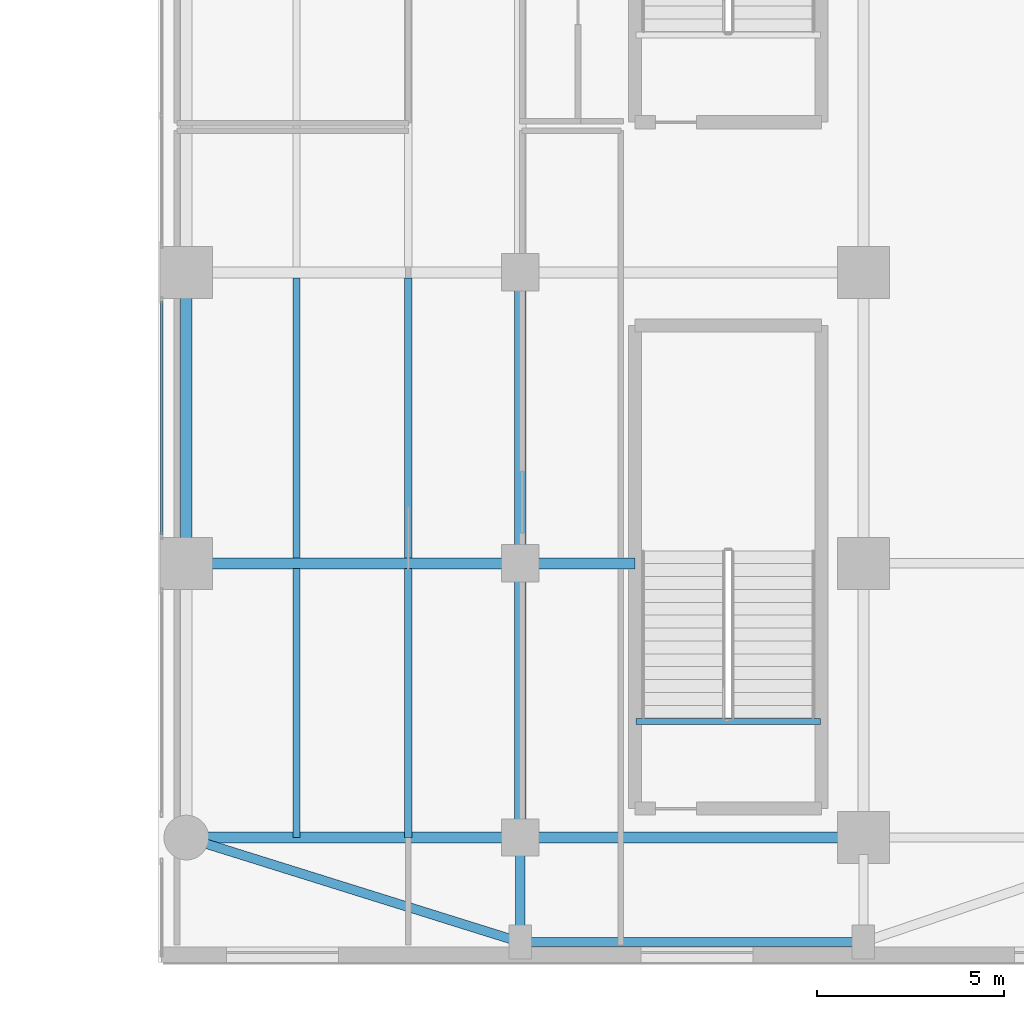
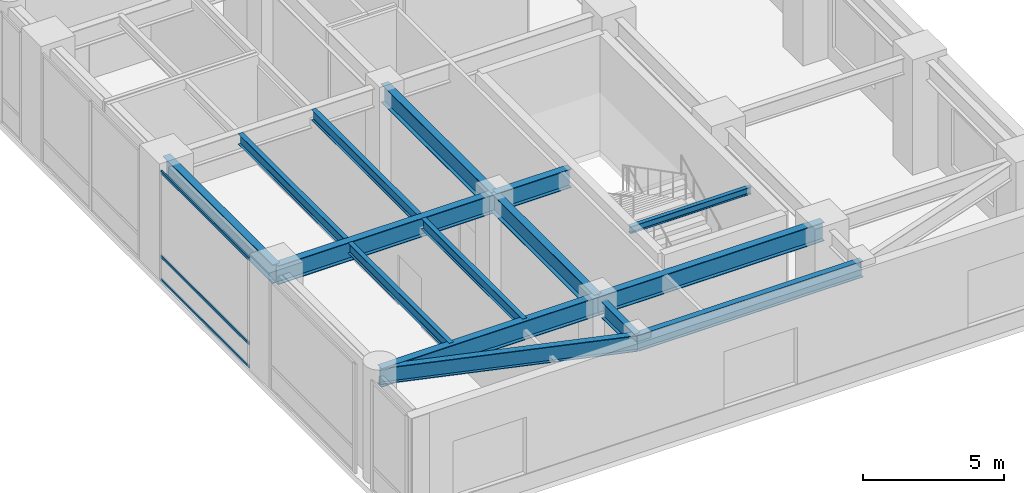
# One storey, part 9 of 24: 15 beams, 3 members, 1 element without a shape of its own.
"""IFC4 building model written with IfcOpenShell, lengths in metres."""

from ifc_helpers import new_model, si_unit, direction, frame, origin, origin_2d, place, context, subcontext, project, spatial, hollow_rectangle, i_section, extrude, source, transform, mapped, material, layer, layer_set, material_profile, profile_set, type_object, type_shapes, element, aggregate, save


model = new_model("IFC4")

# Units and contexts
model_context = context("Model", 3, precision=1e-05, world=origin(), true_north=direction((0.0, 1.0)))
body_context = subcontext(model_context, "Body", "Model", "MODEL_VIEW")
ifc_project = project(units=[si_unit("LENGTHUNIT", "METRE"), si_unit("AREAUNIT", "SQUARE_METRE"), si_unit("VOLUMEUNIT", "CUBIC_METRE"), si_unit("PLANEANGLEUNIT", "RADIAN"), si_unit("MASSUNIT", "GRAM", prefix="KILO")], contexts=[model_context])

# Site, building, storey
site_placement = place(None, origin())
site = spatial("IfcSite", under=ifc_project, at=site_placement, CompositionType="ELEMENT")
building_placement = place(site_placement, origin())
building = spatial("IfcBuilding", under=site, at=building_placement, Name="Tolvann Quenvar Hotel", CompositionType="ELEMENT")
storey_placement = place(building_placement, frame((0.0, 0.0, 6.0)))
storey = spatial("IfcBuildingStorey", under=building, at=storey_placement, Name="L01", CompositionType="ELEMENT", Elevation=6.0)

# Beams
ifc_material_1 = material(Name="Steel Grade 350", Category="steel")
ifc_material_profile_1 = material_profile(ifc_material_1, i_section(OverallWidth=0.300048828125, OverallDepth=0.81591796875, WebThickness=0.010009765625, FlangeThickness=0.028076171875, at=origin_2d()), Name="800WB192")
ifc_profile_set_1 = profile_set([ifc_material_profile_1], Name="Steel Grade 350")
beam_type_1 = type_object("IfcBeamType", Name="BM_GIRD_800WB192", PredefinedType="BEAM", material=ifc_profile_set_1)
shared_shape_1 = source(origin(), body_context, "Body", "SweptSolid", [
    extrude(i_section(OverallWidth=0.300048828125, OverallDepth=0.81591796875, WebThickness=0.010009765625, FlangeThickness=0.028076171875, at=origin_2d()), origin(), (0.0, 0.0, 1.0), 7.349853515625),
])
beam_1_placement = place(storey_placement, frame((47.199951171875, 0.85009765625, 4.33203125), z_axis=(0.0, 1.0, 0.0), x_axis=(-1.0, 0.0, 0.0)))
element("IfcBeam", 1, at=beam_1_placement, inside=storey, type_object=beam_type_1, Name="BM-L01-NS-H-0", PredefinedType="BEAM", context=body_context, shape_type="MappedRepresentation", body=[
    mapped(shared_shape_1, transform((0.0, 0.0, 0.0), x_axis=(1.0, 0.0, 0.0), y_axis=(0.0, 1.0, 0.0), z_axis=(0.0, 0.0, 1.0), scale=1.0)),
])
shared_shape_2 = source(origin(), body_context, "Body", "SweptSolid", [
    extrude(i_section(OverallWidth=0.300048828125, OverallDepth=0.81591796875, WebThickness=0.010009765625, FlangeThickness=0.028076171875, at=origin_2d()), origin(), (0.0, 0.0, 1.0), 7.800048828125),
])
for number, where, z_axis, x_axis, name in (
    (2, (38.25, 8.199951171875, 4.33203125), (0.0, 1.0, 0.0), (-1.0, 0.0, 0.0), "BM-L01-NS-APE-1"),
    (3, (47.199951171875, 8.199951171875, 4.33203125), (0.0, 1.0, 0.0), (-1.0, 0.0, 0.0), "BM-L01-NS-H-1"),
):
    element("IfcBeam", number, at=place(storey_placement, frame(where, z_axis=z_axis, x_axis=x_axis)), inside=storey, type_object=beam_type_1, Name=name, PredefinedType="BEAM", context=body_context, shape_type="MappedRepresentation", body=[
        mapped(shared_shape_2, transform((0.0, 0.0, 0.0), x_axis=(1.0, 0.0, 0.0), y_axis=(0.0, 1.0, 0.0), z_axis=(0.0, 0.0, 1.0), scale=1.0)),
    ])
shared_shape_3 = source(origin(), body_context, "Body", "SweptSolid", [
    extrude(i_section(OverallWidth=0.300048828125, OverallDepth=0.81591796875, WebThickness=0.010009765625, FlangeThickness=0.028076171875, at=origin_2d()), origin(), (0.0, 0.0, 1.0), 8.949951171875),
])
for number, where, z_axis, x_axis, name in (
    (4, (38.25, 0.85009765625, 4.33203125), (1.0, 0.0, 0.0), (0.0, 1.0, 0.0), "BM-L01-GE1-1"),
    (5, (38.25, 8.199951171875, 4.33203125), (1.0, 0.0, 0.0), (0.0, 1.0, 0.0), "BM-L01-GE1-2"),
):
    element("IfcBeam", number, at=place(storey_placement, frame(where, z_axis=z_axis, x_axis=x_axis)), inside=storey, type_object=beam_type_1, Name=name, PredefinedType="BEAM", context=body_context, shape_type="MappedRepresentation", body=[
        mapped(shared_shape_3, transform((0.0, 0.0, 0.0), x_axis=(1.0, 0.0, 0.0), y_axis=(0.0, 1.0, 0.0), z_axis=(0.0, 0.0, 1.0), scale=1.0)),
    ])
shared_shape_4 = source(origin(), body_context, "Body", "SweptSolid", [
    extrude(i_section(OverallWidth=0.300048828125, OverallDepth=0.81591796875, WebThickness=0.010009765625, FlangeThickness=0.028076171875, at=origin_2d()), origin(), (0.0, 0.0, 1.0), 9.199951171875),
])
beam_2_placement = place(storey_placement, frame((47.199951171875, 0.85009765625, 4.33203125), z_axis=(1.0, 0.0, 0.0), x_axis=(0.0, 1.0, 0.0)))
element("IfcBeam", 6, at=beam_2_placement, inside=storey, type_object=beam_type_1, Name="BM-L01-GE2-1", PredefinedType="BEAM", context=body_context, shape_type="MappedRepresentation", body=[
    mapped(shared_shape_4, transform((0.0, 0.0, 0.0), x_axis=(1.0, 0.0, 0.0), y_axis=(0.0, 1.0, 0.0), z_axis=(0.0, 0.0, 1.0), scale=1.0)),
])
ifc_material_profile_2 = material_profile(ifc_material_1, i_section(OverallWidth=0.25, OverallDepth=0.699951171875, WebThickness=0.010009765625, FlangeThickness=0.02392578125, at=origin_2d()), Name="700WB150")
ifc_profile_set_2 = profile_set([ifc_material_profile_2], Name="Steel Grade 350")
beam_type_2 = type_object("IfcBeamType", Name="BM_GIRD_700WB150", PredefinedType="BEAM", material=ifc_profile_set_2)
shared_shape_5 = source(origin(), body_context, "Body", "SweptSolid", [
    extrude(i_section(OverallWidth=0.25, OverallDepth=0.699951171875, WebThickness=0.010009765625, FlangeThickness=0.02392578125, at=origin_2d()), origin(), (0.0, 0.0, 1.0), 2.349853515625),
])
beam_3_placement = place(storey_placement, frame((47.199951171875, -1.949951171875, 4.389892578125), z_axis=(0.0, 1.0, 0.0), x_axis=(-1.0, 0.0, 0.0)))
element("IfcBeam", 7, at=beam_3_placement, inside=storey, type_object=beam_type_2, Name="BM-L01-NSS-H", PredefinedType="BEAM", context=body_context, shape_type="MappedRepresentation", body=[
    mapped(shared_shape_5, transform((0.0, 0.0, 0.0), x_axis=(1.0, 0.0, 0.0), y_axis=(0.0, 1.0, 0.0), z_axis=(0.0, 0.0, 1.0), scale=1.0)),
])
shared_shape_6 = source(origin(), body_context, "Body", "SweptSolid", [
    extrude(i_section(OverallWidth=0.25, OverallDepth=0.699951171875, WebThickness=0.010009765625, FlangeThickness=0.02392578125, at=origin_2d()), origin(), (0.0, 0.0, 1.0), 9.377685546875),
])
beam_4_placement = place(storey_placement, frame((38.25, 0.85009765625, 4.389892578125), z_axis=(0.954383110647, -0.298584792166, 0.0), x_axis=(0.298584792166, 0.954383110647, 0.0)))
element("IfcBeam", 8, at=beam_4_placement, inside=storey, type_object=beam_type_2, Name="BM-L01-EWS-E0", PredefinedType="BEAM", context=body_context, shape_type="MappedRepresentation", body=[
    mapped(shared_shape_6, transform((0.0, 0.0, 0.0), x_axis=(1.0, 0.0, 0.0), y_axis=(0.0, 1.0, 0.0), z_axis=(0.0, 0.0, 1.0), scale=1.0)),
])
shared_shape_7 = source(origin(), body_context, "Body", "SweptSolid", [
    extrude(i_section(OverallWidth=0.25, OverallDepth=0.699951171875, WebThickness=0.010009765625, FlangeThickness=0.02392578125, at=origin_2d()), origin(), (0.0, 0.0, 1.0), 9.199951171875),
])
type_shapes(beam_type_2, [shared_shape_5, shared_shape_6, shared_shape_7])
beam_5_placement = place(storey_placement, frame((47.199951171875, -1.949951171875, 4.389892578125), z_axis=(1.0, 0.0, 0.0), x_axis=(0.0, 1.0, 0.0)))
element("IfcBeam", 9, at=beam_5_placement, inside=storey, type_object=beam_type_2, Name="BM-L01-EWS-E1", PredefinedType="BEAM", context=body_context, shape_type="MappedRepresentation", body=[
    mapped(shared_shape_7, transform((0.0, 0.0, 0.0), x_axis=(1.0, 0.0, 0.0), y_axis=(0.0, 1.0, 0.0), z_axis=(0.0, 0.0, 1.0), scale=1.0)),
])
ifc_material_profile_3 = material_profile(ifc_material_1, i_section(OverallWidth=0.18994140625, OverallDepth=0.4541015625, WebThickness=0.008544921875, FlangeThickness=0.0126953125, FilletRadius=0.011474609375, at=origin_2d()), Name="460UB67")
ifc_profile_set_3 = profile_set([ifc_material_profile_3], Name="Steel Grade 350")
beam_type_3 = type_object("IfcBeamType", Name="BM_JOIST_460UB67", PredefinedType="JOIST", material=ifc_profile_set_3)
shared_shape_8 = source(origin(), body_context, "Body", "SweptSolid", [
    extrude(i_section(OverallWidth=0.18994140625, OverallDepth=0.4541015625, WebThickness=0.008544921875, FlangeThickness=0.0126953125, FilletRadius=0.011474609375, at=origin_2d()), origin(), (0.0, 0.0, 1.0), 7.205810546875),
])
for number, where, z_axis, x_axis, name in (
    (10, (41.199951171875, 0.85009765625, 4.512939453125), (0.0, 1.0, 0.0), (-1.0, 0.0, 0.0), "BJ-L01-412-8"),
    (11, (44.199951171875, 0.85009765625, 4.512939453125), (0.0, 1.0, 0.0), (-1.0, 0.0, 0.0), "BJ-L01-442-8"),
):
    element("IfcBeam", number, at=place(storey_placement, frame(where, z_axis=z_axis, x_axis=x_axis)), inside=storey, type_object=beam_type_3, Name=name, PredefinedType="JOIST", context=body_context, shape_type="MappedRepresentation", body=[
        mapped(shared_shape_8, transform((0.0, 0.0, 0.0), x_axis=(1.0, 0.0, 0.0), y_axis=(0.0, 1.0, 0.0), z_axis=(0.0, 0.0, 1.0), scale=1.0)),
    ])
shared_shape_9 = source(origin(), body_context, "Body", "SweptSolid", [
    extrude(i_section(OverallWidth=0.18994140625, OverallDepth=0.4541015625, WebThickness=0.008544921875, FlangeThickness=0.0126953125, FilletRadius=0.011474609375, at=origin_2d()), origin(), (0.0, 0.0, 1.0), 7.511962890625),
])
type_shapes(beam_type_3, [shared_shape_8, shared_shape_9])
for number, where, z_axis, x_axis, name in (
    (12, (41.199951171875, 8.343994140625, 4.512939453125), (0.0, 1.0, 0.0), (-1.0, 0.0, 0.0), "BJ-L01-412-82"),
    (13, (44.199951171875, 8.343994140625, 4.512939453125), (0.0, 1.0, 0.0), (-1.0, 0.0, 0.0), "BJ-L01-442-82"),
):
    element("IfcBeam", number, at=place(storey_placement, frame(where, z_axis=z_axis, x_axis=x_axis)), inside=storey, type_object=beam_type_3, Name=name, PredefinedType="JOIST", context=body_context, shape_type="MappedRepresentation", body=[
        mapped(shared_shape_9, transform((0.0, 0.0, 0.0), x_axis=(1.0, 0.0, 0.0), y_axis=(0.0, 1.0, 0.0), z_axis=(0.0, 0.0, 1.0), scale=1.0)),
    ])
shared_shape_10 = source(origin(), body_context, "Body", "SweptSolid", [
    extrude(i_section(OverallWidth=0.300048828125, OverallDepth=0.81591796875, WebThickness=0.010009765625, FlangeThickness=0.028076171875, at=origin_2d()), origin(), (0.0, 0.0, 1.0), 3.074951171875),
])
type_shapes(beam_type_1, [shared_shape_1, shared_shape_2, shared_shape_3, shared_shape_4, shared_shape_10])
beam_6_placement = place(storey_placement, frame((47.199951171875, 8.199951171875, 4.33203125), z_axis=(1.0, 0.0, 0.0), x_axis=(0.0, 1.0, 0.0)))
element("IfcBeam", 14, at=beam_6_placement, inside=storey, type_object=beam_type_1, Name="BM-L01-GE2-2", PredefinedType="BEAM", context=body_context, shape_type="MappedRepresentation", body=[
    mapped(shared_shape_10, transform((0.0, 0.0, 0.0), x_axis=(1.0, 0.0, 0.0), y_axis=(0.0, 1.0, 0.0), z_axis=(0.0, 0.0, 1.0), scale=1.0)),
])
ifc_material_profile_4 = material_profile(ifc_material_1, i_section(OverallWidth=0.166015625, OverallDepth=0.306884765625, WebThickness=0.006591796875, FlangeThickness=0.01171875, FilletRadius=0.011474609375, at=origin_2d()), Name="310UB46")
ifc_profile_set_4 = profile_set([ifc_material_profile_4], Name="Steel Grade 350")
beam_type_4 = type_object("IfcBeamType", Name="BM_JOIST_310UB46", PredefinedType="JOIST", material=ifc_profile_set_4)
shared_shape_11 = source(origin(), body_context, "Body", "SweptSolid", [
    extrude(i_section(OverallWidth=0.166015625, OverallDepth=0.306884765625, WebThickness=0.006591796875, FlangeThickness=0.01171875, FilletRadius=0.011474609375, at=origin_2d()), origin(), (0.0, 0.0, 1.0), 4.949951171875),
])
type_shapes(beam_type_4, [shared_shape_11])
beam_7_placement = place(storey_placement, frame((50.300048828125, 3.965087890625, 4.58642578125), z_axis=(1.0, 0.0, 0.0), x_axis=(0.0, 1.0, 0.0)))
element("IfcBeam", 15, at=beam_7_placement, inside=storey, type_object=beam_type_4, Name="BM-HDR-ST-P3-L02", PredefinedType="JOIST", context=body_context, shape_type="MappedRepresentation", body=[
    mapped(shared_shape_11, transform((0.0, 0.0, 0.0), x_axis=(1.0, 0.0, 0.0), y_axis=(0.0, 1.0, 0.0), z_axis=(0.0, 0.0, 1.0), scale=1.0)),
])

# Curtain wall, members
ifc_material_2 = material(Name="Thermally broken anodised architectural aluminium 6063-T6 and laminated low-E glass", Category="aluminium")
ifc_layer = layer(ifc_material_2, 0.179931640625)
ifc_layer_set = layer_set([ifc_layer], Name="Thermally broken anodised architectural aluminium 6063-T6 and laminated low-E glass")
curtain_wall_type = type_object("IfcCurtainWallType", Name="CW_SYS_ARCH_01", PredefinedType="USERDEFINED", material=ifc_layer_set)
curtain_wall_placement = place(storey_placement, origin())
curtain_wall = element("IfcCurtainWall", 16, at=curtain_wall_placement, inside=storey, type_object=curtain_wall_type, Name="Curtain Wall CW-ARCH-01 (CWR-L01-E03-S3)", ObjectType="UNITISED CURTAIN WALL", PredefinedType="USERDEFINED")
ifc_material_3 = material(Name="Anodised architectural aluminium 6063-T6 framing", Category="aluminium")
ifc_material_profile_5 = material_profile(ifc_material_3, hollow_rectangle(XDim=0.06005859375, YDim=0.1201171875, WallThickness=0.00341796875, at=origin_2d()), Name="120x60x3.5RHS")
ifc_profile_set_5 = profile_set([ifc_material_profile_5], Name="Anodised architectural aluminium 6063-T6 framing")
member_type = type_object("IfcMemberType", Name="CW_TRAN_120x60", PredefinedType="USERDEFINED", material=ifc_profile_set_5)
shared_shape_12 = source(origin(), body_context, "Body", "SweptSolid", [
    extrude(hollow_rectangle(XDim=0.06005859375, YDim=0.1201171875, WallThickness=0.00341796875, at=origin_2d()), origin(), (0.0, 0.0, 1.0), 6.251953125),
])
type_shapes(member_type, [shared_shape_12])
member_1_placement = place(storey_placement, frame((37.590087890625, 15.22607421875, 0.030029296875), z_axis=(0.0, -1.0, 0.0), x_axis=(1.0, 0.0, 0.0)))
member_1 = element("IfcMember", 17, at=member_1_placement, type_object=member_type, Name="CW-ARCH-01 transom 1.1", ObjectType="TRANSOM", PredefinedType="USERDEFINED", context=body_context, shape_type="MappedRepresentation", body=[
    mapped(shared_shape_12, transform((0.0, 0.0, 0.0), x_axis=(1.0, 0.0, 0.0), y_axis=(0.0, 1.0, 0.0), z_axis=(0.0, 0.0, 1.0), scale=1.0)),
])
member_2_placement = place(storey_placement, frame((37.590087890625, 15.22607421875, 1.050048828125), z_axis=(0.0, -1.0, 0.0), x_axis=(1.0, 0.0, 0.0)))
member_2 = element("IfcMember", 18, at=member_2_placement, type_object=member_type, Name="CW-ARCH-01 transom 1.2", ObjectType="TRANSOM", PredefinedType="USERDEFINED", context=body_context, shape_type="MappedRepresentation", body=[
    mapped(shared_shape_12, transform((0.0, 0.0, 0.0), x_axis=(1.0, 0.0, 0.0), y_axis=(0.0, 1.0, 0.0), z_axis=(0.0, 0.0, 1.0), scale=1.0)),
])
member_3_placement = place(storey_placement, frame((37.590087890625, 15.22607421875, 4.7099609375), z_axis=(0.0, -1.0, 0.0), x_axis=(1.0, 0.0, 0.0)))
member_3 = element("IfcMember", 19, at=member_3_placement, type_object=member_type, Name="CW-ARCH-01 transom 1.3", ObjectType="TRANSOM", PredefinedType="USERDEFINED", context=body_context, shape_type="MappedRepresentation", body=[
    mapped(shared_shape_12, transform((0.0, 0.0, 0.0), x_axis=(1.0, 0.0, 0.0), y_axis=(0.0, 1.0, 0.0), z_axis=(0.0, 0.0, 1.0), scale=1.0)),
])
aggregate(curtain_wall, [member_1, member_2, member_3])

save(model, "model.ifc")
